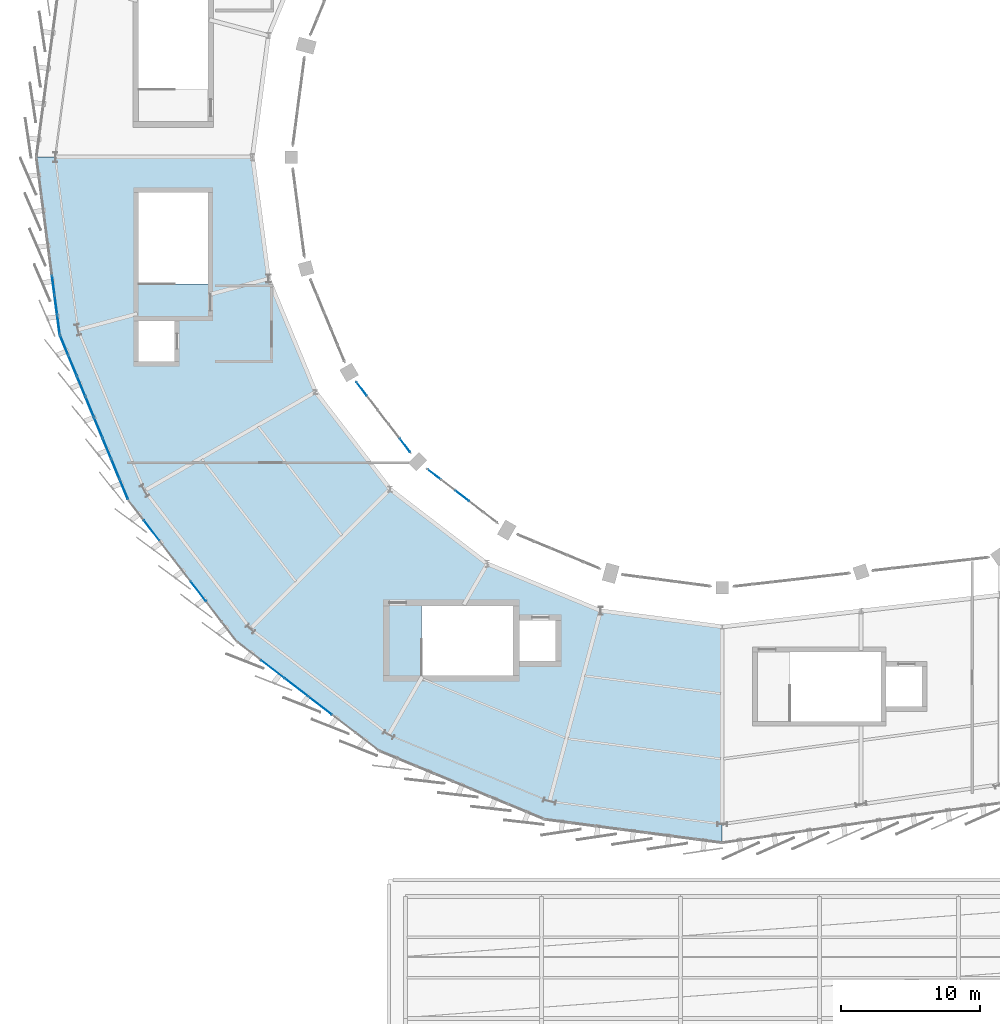
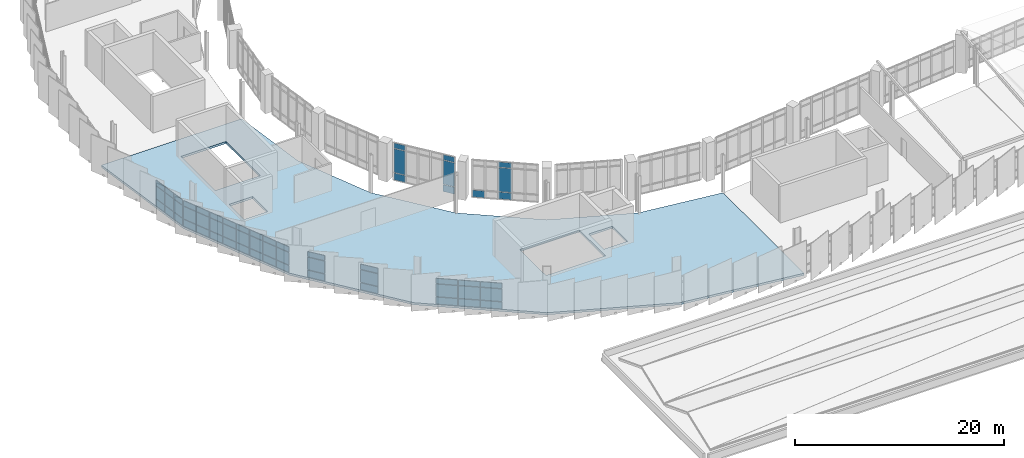
# One storey, part 47 of 67: 58 plates, 1 slab, 6 elements without a shape of their own.
"""IFC4 building model written with IfcOpenShell, lengths in metres."""

from ifc_helpers import new_model, si_unit, direction, frame, origin, origin_2d, place, context, subcontext, project, spatial, polyline, rectangle, outline, extrude, material, layer, layer_set, type_object, element, aggregate, save


model = new_model("IFC4")

# Units and contexts
model_context = context("Model", 3, precision=1e-05, world=origin(), true_north=direction((0.0, 1.0)))
body_context = subcontext(model_context, "Body", "Model", "MODEL_VIEW")
ifc_project = project(units=[si_unit("LENGTHUNIT", "METRE"), si_unit("AREAUNIT", "SQUARE_METRE"), si_unit("VOLUMEUNIT", "CUBIC_METRE"), si_unit("PLANEANGLEUNIT", "RADIAN"), si_unit("MASSUNIT", "GRAM", prefix="KILO")], contexts=[model_context])

# Site, building, storey
site_placement = place(None, origin())
site = spatial("IfcSite", under=ifc_project, at=site_placement, CompositionType="ELEMENT")
building_placement = place(site_placement, origin())
building = spatial("IfcBuilding", under=site, at=building_placement, Name="Sohan Crest Arena", CompositionType="ELEMENT")
storey_placement = place(building_placement, frame((0.0, 0.0, 22.5)))
storey = spatial("IfcBuildingStorey", under=building, at=storey_placement, Name="L05", CompositionType="ELEMENT", Elevation=22.5)

# Curtain wall, plates
ifc_material_1 = material(Name="Thermally broken anodised aluminium", Category="aluminium")
ifc_layer_1 = layer(ifc_material_1, 0.219970703125, Name="Thermally broken anodised aluminium")
ifc_layer_set_1 = layer_set([ifc_layer_1], Name="Thermally broken anodised aluminium")
curtain_wall_type_1 = type_object("IfcCurtainWallType", Name="ARC-CW03", PredefinedType="NOTDEFINED", material=ifc_layer_set_1)
curtain_wall_1_placement = place(storey_placement, origin())
curtain_wall_1 = element("IfcCurtainWall", 1, at=curtain_wall_1_placement, inside=storey, type_object=curtain_wall_type_1, Name="Unitised curtain wall CW-154", PredefinedType="NOTDEFINED")
ifc_material_2 = material(Name="Low-E double-glazed insulated glass", Category="glass")
ifc_layer_2 = layer(ifc_material_2, 0.028076171875, Name="Low-E double-glazed insulated glass")
ifc_layer_set_2 = layer_set([ifc_layer_2], Name="Low-E double-glazed insulated glass")
plate_type_1 = type_object("IfcPlateType", Name="ARC-CNP01", PredefinedType="CURTAIN_PANEL", material=ifc_layer_set_2)
plate_1_placement = place(storey_placement, frame((56.9423828125, 51.134765625, 0.070068359375), z_axis=(0.0, 0.0, 1.0), x_axis=(0.60871994181, -0.793385172815, 0.0)))
plate_1 = element("IfcPlate", 2, at=plate_1_placement, type_object=plate_type_1, Name="CW-154 panel 2.1", PredefinedType="CURTAIN_PANEL", context=body_context, shape_type="SweptSolid", body=[
    extrude(rectangle(XDim=1.780517578125, YDim=0.028076171875, at=origin_2d()), origin(), (0.0, 0.0, 1.0), 0.794921875),
])
plate_2_placement = place(storey_placement, frame((56.9423828125, 51.134765625, 0.93505859375), z_axis=(0.0, 0.0, 1.0), x_axis=(0.60871994181, -0.793385172815, 0.0)))
plate_2 = element("IfcPlate", 3, at=plate_2_placement, type_object=plate_type_1, Name="CW-154 panel 2.2", PredefinedType="CURTAIN_PANEL", context=body_context, shape_type="SweptSolid", body=[
    extrude(rectangle(XDim=1.780517578125, YDim=0.028076171875, at=origin_2d()), origin(), (0.0, 0.0, 1.0), 1.449951171875),
])
plate_3_placement = place(storey_placement, frame((56.9423828125, 51.134765625, 2.455078125), z_axis=(0.0, 0.0, 1.0), x_axis=(0.60871994181, -0.793385172815, 0.0)))
plate_3 = element("IfcPlate", 4, at=plate_3_placement, type_object=plate_type_1, Name="CW-154 panel 2.3", PredefinedType="CURTAIN_PANEL", context=body_context, shape_type="SweptSolid", body=[
    extrude(rectangle(XDim=1.780517578125, YDim=0.028076171875, at=origin_2d()), origin(), (0.0, 0.0, 1.0), 0.594970703125),
])
plate_4_placement = place(storey_placement, frame((60.30322265625, 46.75439453125, 0.070068359375), z_axis=(0.0, 0.0, 1.0), x_axis=(0.60871994181, -0.793385172815, 0.0)))
plate_4 = element("IfcPlate", 5, at=plate_4_placement, type_object=plate_type_1, Name="CW-154 panel 5.1", PredefinedType="CURTAIN_PANEL", context=body_context, shape_type="SweptSolid", body=[
    extrude(rectangle(XDim=1.780517578125, YDim=0.028076171875, at=origin_2d()), origin(), (0.0, 0.0, 1.0), 0.794921875),
])
plate_5_placement = place(storey_placement, frame((60.30322265625, 46.75439453125, 0.93505859375), z_axis=(0.0, 0.0, 1.0), x_axis=(0.60871994181, -0.793385172815, 0.0)))
plate_5 = element("IfcPlate", 6, at=plate_5_placement, type_object=plate_type_1, Name="CW-154 panel 5.2", PredefinedType="CURTAIN_PANEL", context=body_context, shape_type="SweptSolid", body=[
    extrude(rectangle(XDim=1.780517578125, YDim=0.028076171875, at=origin_2d()), origin(), (0.0, 0.0, 1.0), 1.449951171875),
])
plate_6_placement = place(storey_placement, frame((60.30322265625, 46.75439453125, 2.455078125), z_axis=(0.0, 0.0, 1.0), x_axis=(0.60871994181, -0.793385172815, 0.0)))
plate_6 = element("IfcPlate", 7, at=plate_6_placement, type_object=plate_type_1, Name="CW-154 panel 5.3", PredefinedType="CURTAIN_PANEL", context=body_context, shape_type="SweptSolid", body=[
    extrude(rectangle(XDim=1.780517578125, YDim=0.028076171875, at=origin_2d()), origin(), (0.0, 0.0, 1.0), 0.594970703125),
])
aggregate(curtain_wall_1, [plate_1, plate_2, plate_3, plate_4, plate_5, plate_6])

ifc_layer_3 = layer(ifc_material_1, 0.239990234375, Name="Thermally broken anodised aluminium")
ifc_layer_set_3 = layer_set([ifc_layer_3], Name="Thermally broken anodised aluminium")
curtain_wall_type_2 = type_object("IfcCurtainWallType", Name="ARC-CW04", PredefinedType="NOTDEFINED", material=ifc_layer_set_3)
curtain_wall_2_placement = place(storey_placement, origin())
curtain_wall_2 = element("IfcCurtainWall", 8, at=curtain_wall_2_placement, inside=storey, type_object=curtain_wall_type_2, Name="Unitised curtain wall CW-155", PredefinedType="NOTDEFINED")
ifc_layer_4 = layer(ifc_material_2, 0.031982421875, Name="Low-E double-glazed insulated glass")
ifc_layer_set_4 = layer_set([ifc_layer_4], Name="Low-E double-glazed insulated glass")
plate_type_2 = type_object("IfcPlateType", Name="ARC-CNP02", PredefinedType="CURTAIN_PANEL", material=ifc_layer_set_4)
plate_7_placement = place(storey_placement, frame((65.6591796875, 41.1435546875, 0.06005859375), z_axis=(0.0, 0.0, 1.0), x_axis=(0.793385172815, -0.60871994181, 0.0)))
plate_7 = element("IfcPlate", 9, at=plate_7_placement, type_object=plate_type_2, Name="CW-155 panel 2.1", PredefinedType="CURTAIN_PANEL", context=body_context, shape_type="SweptSolid", body=[
    extrude(rectangle(XDim=2.08203125, YDim=0.031982421875, at=origin_2d()), origin(), (0.0, 0.0, 1.0), 0.81005859375),
])
plate_8_placement = place(storey_placement, frame((65.6591796875, 41.1435546875, 0.929931640625), z_axis=(0.0, 0.0, 1.0), x_axis=(0.793385172815, -0.60871994181, 0.0)))
plate_8 = element("IfcPlate", 10, at=plate_8_placement, type_object=plate_type_2, Name="CW-155 panel 2.2", PredefinedType="CURTAIN_PANEL", context=body_context, shape_type="SweptSolid", body=[
    extrude(rectangle(XDim=2.08203125, YDim=0.031982421875, at=origin_2d()), origin(), (0.0, 0.0, 1.0), 1.4599609375),
])
plate_9_placement = place(storey_placement, frame((65.6591796875, 41.1435546875, 2.44970703125), z_axis=(0.0, 0.0, 1.0), x_axis=(0.793385172815, -0.60871994181, 0.0)))
plate_9 = element("IfcPlate", 11, at=plate_9_placement, type_object=plate_type_2, Name="CW-155 panel 2.3", PredefinedType="CURTAIN_PANEL", context=body_context, shape_type="SweptSolid", body=[
    extrude(rectangle(XDim=2.08203125, YDim=0.031982421875, at=origin_2d()), origin(), (0.0, 0.0, 1.0), 0.610107421875),
])
plate_10_placement = place(storey_placement, frame((67.36279296875, 39.83642578125, 0.06005859375), z_axis=(0.0, 0.0, 1.0), x_axis=(0.793385172815, -0.60871994181, 0.0)))
plate_10 = element("IfcPlate", 12, at=plate_10_placement, type_object=plate_type_2, Name="CW-155 panel 3.1", PredefinedType="CURTAIN_PANEL", context=body_context, shape_type="SweptSolid", body=[
    extrude(rectangle(XDim=2.08203125, YDim=0.031982421875, at=origin_2d()), origin(), (0.0, 0.0, 1.0), 0.81005859375),
])
plate_11_placement = place(storey_placement, frame((67.36279296875, 39.83642578125, 0.929931640625), z_axis=(0.0, 0.0, 1.0), x_axis=(0.793385172815, -0.60871994181, 0.0)))
plate_11 = element("IfcPlate", 13, at=plate_11_placement, type_object=plate_type_2, Name="CW-155 panel 3.2", PredefinedType="CURTAIN_PANEL", context=body_context, shape_type="SweptSolid", body=[
    extrude(rectangle(XDim=2.08203125, YDim=0.031982421875, at=origin_2d()), origin(), (0.0, 0.0, 1.0), 1.4599609375),
])
plate_12_placement = place(storey_placement, frame((67.36279296875, 39.83642578125, 2.44970703125), z_axis=(0.0, 0.0, 1.0), x_axis=(0.793385172815, -0.60871994181, 0.0)))
plate_12 = element("IfcPlate", 14, at=plate_12_placement, type_object=plate_type_2, Name="CW-155 panel 3.3", PredefinedType="CURTAIN_PANEL", context=body_context, shape_type="SweptSolid", body=[
    extrude(rectangle(XDim=2.08203125, YDim=0.031982421875, at=origin_2d()), origin(), (0.0, 0.0, 1.0), 0.610107421875),
])
plate_13_placement = place(storey_placement, frame((69.066162109375, 38.529541015625, 0.06005859375), z_axis=(0.0, 0.0, 1.0), x_axis=(0.793385172815, -0.60871994181, 0.0)))
plate_13 = element("IfcPlate", 15, at=plate_13_placement, type_object=plate_type_2, Name="CW-155 panel 4.1", PredefinedType="CURTAIN_PANEL", context=body_context, shape_type="SweptSolid", body=[
    extrude(rectangle(XDim=2.08203125, YDim=0.031982421875, at=origin_2d()), origin(), (0.0, 0.0, 1.0), 0.81005859375),
])
plate_14_placement = place(storey_placement, frame((69.066162109375, 38.529541015625, 0.929931640625), z_axis=(0.0, 0.0, 1.0), x_axis=(0.793385172815, -0.60871994181, 0.0)))
plate_14 = element("IfcPlate", 16, at=plate_14_placement, type_object=plate_type_2, Name="CW-155 panel 4.2", PredefinedType="CURTAIN_PANEL", context=body_context, shape_type="SweptSolid", body=[
    extrude(rectangle(XDim=2.08203125, YDim=0.031982421875, at=origin_2d()), origin(), (0.0, 0.0, 1.0), 1.4599609375),
])
plate_15_placement = place(storey_placement, frame((69.066162109375, 38.529541015625, 2.44970703125), z_axis=(0.0, 0.0, 1.0), x_axis=(0.793385172815, -0.60871994181, 0.0)))
plate_15 = element("IfcPlate", 17, at=plate_15_placement, type_object=plate_type_2, Name="CW-155 panel 4.3", PredefinedType="CURTAIN_PANEL", context=body_context, shape_type="SweptSolid", body=[
    extrude(rectangle(XDim=2.08203125, YDim=0.031982421875, at=origin_2d()), origin(), (0.0, 0.0, 1.0), 0.610107421875),
])
aggregate(curtain_wall_2, [plate_7, plate_8, plate_9, plate_10, plate_11, plate_12, plate_13, plate_14, plate_15])

ifc_layer_5 = layer(ifc_material_1, 0.179931640625, Name="Thermally broken anodised aluminium")
ifc_layer_set_5 = layer_set([ifc_layer_5], Name="Thermally broken anodised aluminium")
curtain_wall_type_3 = type_object("IfcCurtainWallType", Name="ARC-CW01", PredefinedType="NOTDEFINED", material=ifc_layer_set_5)
curtain_wall_3_placement = place(storey_placement, origin())
curtain_wall_3 = element("IfcCurtainWall", 18, at=curtain_wall_3_placement, inside=storey, type_object=curtain_wall_type_3, Name="Unitised curtain wall CW-152", PredefinedType="NOTDEFINED")
ifc_material_3 = material(Name="Ceramic-fritted solar-control insulated glass", Category="glass")
ifc_layer_6 = layer(ifc_material_3, 0.035888671875, Name="Ceramic-fritted solar-control insulated glass")
ifc_layer_set_6 = layer_set([ifc_layer_6], Name="Ceramic-fritted solar-control insulated glass")
plate_type_3 = type_object("IfcPlateType", Name="ARC-CNP03", PredefinedType="CURTAIN_PANEL", material=ifc_layer_set_6)
plate_16_placement = place(storey_placement, frame((49.86474609375, 68.775146484375, 0.06005859375), z_axis=(0.0, 0.0, 1.0), x_axis=(0.130556913275, -0.991440816386, 0.0)))
plate_16 = element("IfcPlate", 19, at=plate_16_placement, type_object=plate_type_3, Name="CW-152 panel 7.1", PredefinedType="CURTAIN_PANEL", context=body_context, shape_type="SweptSolid", body=[
    extrude(rectangle(XDim=1.361572265625, YDim=0.035888671875, at=origin_2d()), origin(), (0.0, 0.0, 1.0), 0.81005859375),
])
plate_17_placement = place(storey_placement, frame((49.86474609375, 68.775146484375, 0.929931640625), z_axis=(0.0, 0.0, 1.0), x_axis=(0.130556913275, -0.991440816386, 0.0)))
plate_17 = element("IfcPlate", 20, at=plate_17_placement, type_object=plate_type_3, Name="CW-152 panel 7.2", PredefinedType="CURTAIN_PANEL", context=body_context, shape_type="SweptSolid", body=[
    extrude(rectangle(XDim=1.361572265625, YDim=0.035888671875, at=origin_2d()), origin(), (0.0, 0.0, 1.0), 1.4599609375),
])
plate_18_placement = place(storey_placement, frame((49.86474609375, 68.775146484375, 2.44970703125), z_axis=(0.0, 0.0, 1.0), x_axis=(0.130556913275, -0.991440816386, 0.0)))
plate_18 = element("IfcPlate", 21, at=plate_18_placement, type_object=plate_type_3, Name="CW-152 panel 7.3", PredefinedType="CURTAIN_PANEL", context=body_context, shape_type="SweptSolid", body=[
    extrude(rectangle(XDim=1.361572265625, YDim=0.035888671875, at=origin_2d()), origin(), (0.0, 0.0, 1.0), 0.610107421875),
])
plate_19_placement = place(storey_placement, frame((50.0517578125, 67.355712890625, 0.06005859375), z_axis=(0.0, 0.0, 1.0), x_axis=(0.130556913275, -0.991440816386, 0.0)))
plate_19 = element("IfcPlate", 22, at=plate_19_placement, type_object=plate_type_3, Name="CW-152 panel 8.1", PredefinedType="CURTAIN_PANEL", context=body_context, shape_type="SweptSolid", body=[
    extrude(rectangle(XDim=1.361572265625, YDim=0.035888671875, at=origin_2d()), origin(), (0.0, 0.0, 1.0), 0.81005859375),
])
plate_20_placement = place(storey_placement, frame((50.0517578125, 67.355712890625, 0.929931640625), z_axis=(0.0, 0.0, 1.0), x_axis=(0.130556913275, -0.991440816386, 0.0)))
plate_20 = element("IfcPlate", 23, at=plate_20_placement, type_object=plate_type_3, Name="CW-152 panel 8.2", PredefinedType="CURTAIN_PANEL", context=body_context, shape_type="SweptSolid", body=[
    extrude(rectangle(XDim=1.361572265625, YDim=0.035888671875, at=origin_2d()), origin(), (0.0, 0.0, 1.0), 1.4599609375),
])
plate_21_placement = place(storey_placement, frame((50.0517578125, 67.355712890625, 2.44970703125), z_axis=(0.0, 0.0, 1.0), x_axis=(0.130556913275, -0.991440816386, 0.0)))
plate_21 = element("IfcPlate", 24, at=plate_21_placement, type_object=plate_type_3, Name="CW-152 panel 8.3", PredefinedType="CURTAIN_PANEL", context=body_context, shape_type="SweptSolid", body=[
    extrude(rectangle(XDim=1.361572265625, YDim=0.035888671875, at=origin_2d()), origin(), (0.0, 0.0, 1.0), 0.610107421875),
])
plate_22_placement = place(storey_placement, frame((50.236328125, 65.953857421875, 0.06005859375), z_axis=(0.0, 0.0, 1.0), x_axis=(0.130556913275, -0.991440816386, 0.0)))
plate_22 = element("IfcPlate", 25, at=plate_22_placement, type_object=plate_type_3, Name="CW-152 panel 9.1", PredefinedType="CURTAIN_PANEL", context=body_context, shape_type="SweptSolid", body=[
    extrude(rectangle(XDim=1.326416015625, YDim=0.035888671875, at=origin_2d()), origin(), (0.0, 0.0, 1.0), 0.81005859375),
])
plate_23_placement = place(storey_placement, frame((50.236328125, 65.953857421875, 0.929931640625), z_axis=(0.0, 0.0, 1.0), x_axis=(0.130556913275, -0.991440816386, 0.0)))
plate_23 = element("IfcPlate", 26, at=plate_23_placement, type_object=plate_type_3, Name="CW-152 panel 9.2", PredefinedType="CURTAIN_PANEL", context=body_context, shape_type="SweptSolid", body=[
    extrude(rectangle(XDim=1.326416015625, YDim=0.035888671875, at=origin_2d()), origin(), (0.0, 0.0, 1.0), 1.4599609375),
])
plate_24_placement = place(storey_placement, frame((50.236328125, 65.953857421875, 2.44970703125), z_axis=(0.0, 0.0, 1.0), x_axis=(0.130556913275, -0.991440816386, 0.0)))
plate_24 = element("IfcPlate", 27, at=plate_24_placement, type_object=plate_type_3, Name="CW-152 panel 9.3", PredefinedType="CURTAIN_PANEL", context=body_context, shape_type="SweptSolid", body=[
    extrude(rectangle(XDim=1.326416015625, YDim=0.035888671875, at=origin_2d()), origin(), (0.0, 0.0, 1.0), 0.610107421875),
])
aggregate(curtain_wall_3, [plate_16, plate_17, plate_18, plate_19, plate_20, plate_21, plate_22, plate_23, plate_24])

ifc_layer_7 = layer(ifc_material_1, 0.18994140625, Name="Thermally broken anodised aluminium")
ifc_layer_set_7 = layer_set([ifc_layer_7], Name="Thermally broken anodised aluminium")
curtain_wall_type_4 = type_object("IfcCurtainWallType", Name="ARC-CW05", PredefinedType="NOTDEFINED", material=ifc_layer_set_7)
curtain_wall_4_placement = place(storey_placement, origin())
curtain_wall_4 = element("IfcCurtainWall", 28, at=curtain_wall_4_placement, inside=storey, type_object=curtain_wall_type_4, Name="Unitised curtain wall CW-180", PredefinedType="NOTDEFINED")
plate_25_placement = place(storey_placement, frame((72.0556640625, 61.3232421875, 0.06494140625), z_axis=(0.0, 0.0, 1.0), x_axis=(0.608939000248, -0.793217053508, 0.0)))
plate_25 = element("IfcPlate", 29, at=plate_25_placement, type_object=plate_type_3, Name="CW-180 panel 1.1", PredefinedType="CURTAIN_PANEL", context=body_context, shape_type="SweptSolid", body=[
    extrude(rectangle(XDim=1.185546875, YDim=0.035888671875, at=origin_2d()), origin(), (0.0, 0.0, 1.0), 0.802490234375),
])
plate_26_placement = place(storey_placement, frame((72.0556640625, 61.3232421875, 0.9326171875), z_axis=(0.0, 0.0, 1.0), x_axis=(0.608939000248, -0.793217053508, 0.0)))
plate_26 = element("IfcPlate", 30, at=plate_26_placement, type_object=plate_type_3, Name="CW-180 panel 1.2", PredefinedType="CURTAIN_PANEL", context=body_context, shape_type="SweptSolid", body=[
    extrude(rectangle(XDim=1.185546875, YDim=0.035888671875, at=origin_2d()), origin(), (0.0, 0.0, 1.0), 2.784912109375),
])
plate_27_placement = place(storey_placement, frame((72.0556640625, 61.3232421875, 3.782470703125), z_axis=(0.0, 0.0, 1.0), x_axis=(0.608939000248, -0.793217053508, 0.0)))
plate_27 = element("IfcPlate", 31, at=plate_27_placement, type_object=plate_type_3, Name="CW-180 panel 1.3", PredefinedType="CURTAIN_PANEL", context=body_context, shape_type="SweptSolid", body=[
    extrude(rectangle(XDim=1.185546875, YDim=0.035888671875, at=origin_2d()), origin(), (0.0, 0.0, 1.0), 0.6025390625),
])
plate_28_placement = place(storey_placement, frame((75.177490234375, 57.256591796875, 0.06494140625), z_axis=(0.0, 0.0, 1.0), x_axis=(0.608939000248, -0.793217053508, 0.0)))
plate_28 = element("IfcPlate", 32, at=plate_28_placement, type_object=plate_type_3, Name="CW-180 panel 5.1", PredefinedType="CURTAIN_PANEL", context=body_context, shape_type="SweptSolid", body=[
    extrude(rectangle(XDim=1.185546875, YDim=0.035888671875, at=origin_2d()), origin(), (0.0, 0.0, 1.0), 0.802490234375),
])
plate_29_placement = place(storey_placement, frame((75.177490234375, 57.256591796875, 0.9326171875), z_axis=(0.0, 0.0, 1.0), x_axis=(0.608939000248, -0.793217053508, 0.0)))
plate_29 = element("IfcPlate", 33, at=plate_29_placement, type_object=plate_type_3, Name="CW-180 panel 5.2", PredefinedType="CURTAIN_PANEL", context=body_context, shape_type="SweptSolid", body=[
    extrude(rectangle(XDim=1.185546875, YDim=0.035888671875, at=origin_2d()), origin(), (0.0, 0.0, 1.0), 2.784912109375),
])
plate_30_placement = place(storey_placement, frame((75.177490234375, 57.256591796875, 3.782470703125), z_axis=(0.0, 0.0, 1.0), x_axis=(0.608939000248, -0.793217053508, 0.0)))
plate_30 = element("IfcPlate", 34, at=plate_30_placement, type_object=plate_type_3, Name="CW-180 panel 5.3", PredefinedType="CURTAIN_PANEL", context=body_context, shape_type="SweptSolid", body=[
    extrude(rectangle(XDim=1.185546875, YDim=0.035888671875, at=origin_2d()), origin(), (0.0, 0.0, 1.0), 0.6025390625),
])
aggregate(curtain_wall_4, [plate_25, plate_26, plate_27, plate_28, plate_29, plate_30])

curtain_wall_5_placement = place(storey_placement, origin())
curtain_wall_5 = element("IfcCurtainWall", 35, at=curtain_wall_5_placement, inside=storey, type_object=curtain_wall_type_4, Name="Unitised curtain wall CW-182", PredefinedType="NOTDEFINED")
plate_31_placement = place(storey_placement, frame((77.256591796875, 55.177490234375, 0.06494140625), z_axis=(0.0, 0.0, 1.0), x_axis=(0.793217053508, -0.608939000248, 0.0)))
plate_31 = element("IfcPlate", 36, at=plate_31_placement, type_object=plate_type_3, Name="CW-182 panel 1.1", PredefinedType="CURTAIN_PANEL", context=body_context, shape_type="SweptSolid", body=[
    extrude(rectangle(XDim=1.185546875, YDim=0.035888671875, at=origin_2d()), origin(), (0.0, 0.0, 1.0), 0.802490234375),
])
plate_32_placement = place(storey_placement, frame((79.2900390625, 53.616455078125, 0.06494140625), z_axis=(0.0, 0.0, 1.0), x_axis=(0.793217053508, -0.608939000248, 0.0)))
plate_32 = element("IfcPlate", 37, at=plate_32_placement, type_object=plate_type_3, Name="CW-182 panel 3.1", PredefinedType="CURTAIN_PANEL", context=body_context, shape_type="SweptSolid", body=[
    extrude(rectangle(XDim=1.220458984375, YDim=0.035888671875, at=origin_2d()), origin(), (0.0, 0.0, 1.0), 0.802490234375),
])
plate_33_placement = place(storey_placement, frame((79.2900390625, 53.616455078125, 0.9326171875), z_axis=(0.0, 0.0, 1.0), x_axis=(0.793217053508, -0.608939000248, 0.0)))
plate_33 = element("IfcPlate", 38, at=plate_33_placement, type_object=plate_type_3, Name="CW-182 panel 3.2", PredefinedType="CURTAIN_PANEL", context=body_context, shape_type="SweptSolid", body=[
    extrude(rectangle(XDim=1.220458984375, YDim=0.035888671875, at=origin_2d()), origin(), (0.0, 0.0, 1.0), 2.784912109375),
])
plate_34_placement = place(storey_placement, frame((79.2900390625, 53.616455078125, 3.782470703125), z_axis=(0.0, 0.0, 1.0), x_axis=(0.793217053508, -0.608939000248, 0.0)))
plate_34 = element("IfcPlate", 39, at=plate_34_placement, type_object=plate_type_3, Name="CW-182 panel 3.3", PredefinedType="CURTAIN_PANEL", context=body_context, shape_type="SweptSolid", body=[
    extrude(rectangle(XDim=1.220458984375, YDim=0.035888671875, at=origin_2d()), origin(), (0.0, 0.0, 1.0), 0.6025390625),
])
aggregate(curtain_wall_5, [plate_31, plate_32, plate_33, plate_34])

ifc_layer_8 = layer(ifc_material_1, 0.199951171875, Name="Thermally broken anodised aluminium")
ifc_layer_set_8 = layer_set([ifc_layer_8], Name="Thermally broken anodised aluminium")
curtain_wall_type_5 = type_object("IfcCurtainWallType", Name="ARC-CW02", PredefinedType="NOTDEFINED", material=ifc_layer_set_8)
curtain_wall_6_placement = place(storey_placement, origin())
curtain_wall_6 = element("IfcCurtainWall", 40, at=curtain_wall_6_placement, inside=storey, type_object=curtain_wall_type_5, Name="Unitised curtain wall CW-153", PredefinedType="NOTDEFINED")
ifc_material_4 = material(Name="Insulated polychrome ceramic spandrel panel", Category="masonry")
ifc_layer_9 = layer(ifc_material_4, 0.0419921875, Name="Insulated polychrome ceramic spandrel panel")
ifc_layer_set_9 = layer_set([ifc_layer_9], Name="Insulated polychrome ceramic spandrel panel")
plate_type_4 = type_object("IfcPlateType", Name="ARC-CNP04", PredefinedType="CURTAIN_PANEL", material=ifc_layer_set_9)
plate_35_placement = place(storey_placement, frame((50.647216796875, 64.4658203125, 0.06494140625), z_axis=(0.0, 0.0, 1.0), x_axis=(0.382685432009, -0.923878704229, 0.0)))
plate_35 = element("IfcPlate", 41, at=plate_35_placement, type_object=plate_type_4, Name="CW-153 panel 1.1", PredefinedType="CURTAIN_PANEL", context=body_context, shape_type="SweptSolid", body=[
    extrude(rectangle(XDim=1.497802734375, YDim=0.0419921875, at=origin_2d()), origin(), (0.0, 0.0, 1.0), 0.802490234375),
])
plate_36_placement = place(storey_placement, frame((50.647216796875, 64.4658203125, 0.932373046875), z_axis=(0.0, 0.0, 1.0), x_axis=(0.382685432009, -0.923878704229, 0.0)))
plate_36 = element("IfcPlate", 42, at=plate_36_placement, type_object=plate_type_4, Name="CW-153 panel 1.2", PredefinedType="CURTAIN_PANEL", context=body_context, shape_type="SweptSolid", body=[
    extrude(rectangle(XDim=1.497802734375, YDim=0.0419921875, at=origin_2d()), origin(), (0.0, 0.0, 1.0), 1.455078125),
])
plate_37_placement = place(storey_placement, frame((50.647216796875, 64.4658203125, 2.452392578125), z_axis=(0.0, 0.0, 1.0), x_axis=(0.382685432009, -0.923878704229, 0.0)))
plate_37 = element("IfcPlate", 43, at=plate_37_placement, type_object=plate_type_4, Name="CW-153 panel 1.3", PredefinedType="CURTAIN_PANEL", context=body_context, shape_type="SweptSolid", body=[
    extrude(rectangle(XDim=1.497802734375, YDim=0.0419921875, at=origin_2d()), origin(), (0.0, 0.0, 1.0), 0.6025390625),
])
plate_38_placement = place(storey_placement, frame((51.25634765625, 62.995361328125, 0.06494140625), z_axis=(0.0, 0.0, 1.0), x_axis=(0.382685432009, -0.923878704229, 0.0)))
plate_38 = element("IfcPlate", 44, at=plate_38_placement, type_object=plate_type_4, Name="CW-153 panel 2.1", PredefinedType="CURTAIN_PANEL", context=body_context, shape_type="SweptSolid", body=[
    extrude(rectangle(XDim=1.535400390625, YDim=0.0419921875, at=origin_2d()), origin(), (0.0, 0.0, 1.0), 0.802490234375),
])
plate_39_placement = place(storey_placement, frame((51.25634765625, 62.995361328125, 0.932373046875), z_axis=(0.0, 0.0, 1.0), x_axis=(0.382685432009, -0.923878704229, 0.0)))
plate_39 = element("IfcPlate", 45, at=plate_39_placement, type_object=plate_type_4, Name="CW-153 panel 2.2", PredefinedType="CURTAIN_PANEL", context=body_context, shape_type="SweptSolid", body=[
    extrude(rectangle(XDim=1.535400390625, YDim=0.0419921875, at=origin_2d()), origin(), (0.0, 0.0, 1.0), 1.455078125),
])
plate_40_placement = place(storey_placement, frame((51.25634765625, 62.995361328125, 2.452392578125), z_axis=(0.0, 0.0, 1.0), x_axis=(0.382685432009, -0.923878704229, 0.0)))
plate_40 = element("IfcPlate", 46, at=plate_40_placement, type_object=plate_type_4, Name="CW-153 panel 2.3", PredefinedType="CURTAIN_PANEL", context=body_context, shape_type="SweptSolid", body=[
    extrude(rectangle(XDim=1.535400390625, YDim=0.0419921875, at=origin_2d()), origin(), (0.0, 0.0, 1.0), 0.6025390625),
])
plate_41_placement = place(storey_placement, frame((51.87255859375, 61.507568359375, 0.06494140625), z_axis=(0.0, 0.0, 1.0), x_axis=(0.382685432009, -0.923878704229, 0.0)))
plate_41 = element("IfcPlate", 47, at=plate_41_placement, type_object=plate_type_4, Name="CW-153 panel 3.1", PredefinedType="CURTAIN_PANEL", context=body_context, shape_type="SweptSolid", body=[
    extrude(rectangle(XDim=1.535400390625, YDim=0.0419921875, at=origin_2d()), origin(), (0.0, 0.0, 1.0), 0.802490234375),
])
plate_42_placement = place(storey_placement, frame((51.87255859375, 61.507568359375, 0.932373046875), z_axis=(0.0, 0.0, 1.0), x_axis=(0.382685432009, -0.923878704229, 0.0)))
plate_42 = element("IfcPlate", 48, at=plate_42_placement, type_object=plate_type_4, Name="CW-153 panel 3.2", PredefinedType="CURTAIN_PANEL", context=body_context, shape_type="SweptSolid", body=[
    extrude(rectangle(XDim=1.535400390625, YDim=0.0419921875, at=origin_2d()), origin(), (0.0, 0.0, 1.0), 1.455078125),
])
plate_43_placement = place(storey_placement, frame((51.87255859375, 61.507568359375, 2.452392578125), z_axis=(0.0, 0.0, 1.0), x_axis=(0.382685432009, -0.923878704229, 0.0)))
plate_43 = element("IfcPlate", 49, at=plate_43_placement, type_object=plate_type_4, Name="CW-153 panel 3.3", PredefinedType="CURTAIN_PANEL", context=body_context, shape_type="SweptSolid", body=[
    extrude(rectangle(XDim=1.535400390625, YDim=0.0419921875, at=origin_2d()), origin(), (0.0, 0.0, 1.0), 0.6025390625),
])
plate_44_placement = place(storey_placement, frame((52.48876953125, 60.019775390625, 0.06494140625), z_axis=(0.0, 0.0, 1.0), x_axis=(0.382685432009, -0.923878704229, 0.0)))
plate_44 = element("IfcPlate", 50, at=plate_44_placement, type_object=plate_type_4, Name="CW-153 panel 4.1", PredefinedType="CURTAIN_PANEL", context=body_context, shape_type="SweptSolid", body=[
    extrude(rectangle(XDim=1.535400390625, YDim=0.0419921875, at=origin_2d()), origin(), (0.0, 0.0, 1.0), 0.802490234375),
])
plate_45_placement = place(storey_placement, frame((52.48876953125, 60.019775390625, 0.932373046875), z_axis=(0.0, 0.0, 1.0), x_axis=(0.382685432009, -0.923878704229, 0.0)))
plate_45 = element("IfcPlate", 51, at=plate_45_placement, type_object=plate_type_4, Name="CW-153 panel 4.2", PredefinedType="CURTAIN_PANEL", context=body_context, shape_type="SweptSolid", body=[
    extrude(rectangle(XDim=1.535400390625, YDim=0.0419921875, at=origin_2d()), origin(), (0.0, 0.0, 1.0), 1.455078125),
])
plate_46_placement = place(storey_placement, frame((52.48876953125, 60.019775390625, 2.452392578125), z_axis=(0.0, 0.0, 1.0), x_axis=(0.382685432009, -0.923878704229, 0.0)))
plate_46 = element("IfcPlate", 52, at=plate_46_placement, type_object=plate_type_4, Name="CW-153 panel 4.3", PredefinedType="CURTAIN_PANEL", context=body_context, shape_type="SweptSolid", body=[
    extrude(rectangle(XDim=1.535400390625, YDim=0.0419921875, at=origin_2d()), origin(), (0.0, 0.0, 1.0), 0.6025390625),
])
plate_47_placement = place(storey_placement, frame((53.105224609375, 58.5322265625, 0.06494140625), z_axis=(0.0, 0.0, 1.0), x_axis=(0.382685432009, -0.923878704229, 0.0)))
plate_47 = element("IfcPlate", 53, at=plate_47_placement, type_object=plate_type_4, Name="CW-153 panel 5.1", PredefinedType="CURTAIN_PANEL", context=body_context, shape_type="SweptSolid", body=[
    extrude(rectangle(XDim=1.535400390625, YDim=0.0419921875, at=origin_2d()), origin(), (0.0, 0.0, 1.0), 0.802490234375),
])
plate_48_placement = place(storey_placement, frame((53.105224609375, 58.5322265625, 0.932373046875), z_axis=(0.0, 0.0, 1.0), x_axis=(0.382685432009, -0.923878704229, 0.0)))
plate_48 = element("IfcPlate", 54, at=plate_48_placement, type_object=plate_type_4, Name="CW-153 panel 5.2", PredefinedType="CURTAIN_PANEL", context=body_context, shape_type="SweptSolid", body=[
    extrude(rectangle(XDim=1.535400390625, YDim=0.0419921875, at=origin_2d()), origin(), (0.0, 0.0, 1.0), 1.455078125),
])
plate_49_placement = place(storey_placement, frame((53.105224609375, 58.5322265625, 2.452392578125), z_axis=(0.0, 0.0, 1.0), x_axis=(0.382685432009, -0.923878704229, 0.0)))
plate_49 = element("IfcPlate", 55, at=plate_49_placement, type_object=plate_type_4, Name="CW-153 panel 5.3", PredefinedType="CURTAIN_PANEL", context=body_context, shape_type="SweptSolid", body=[
    extrude(rectangle(XDim=1.535400390625, YDim=0.0419921875, at=origin_2d()), origin(), (0.0, 0.0, 1.0), 0.6025390625),
])
plate_50_placement = place(storey_placement, frame((53.721435546875, 57.04443359375, 0.06494140625), z_axis=(0.0, 0.0, 1.0), x_axis=(0.382685432009, -0.923878704229, 0.0)))
plate_50 = element("IfcPlate", 56, at=plate_50_placement, type_object=plate_type_4, Name="CW-153 panel 6.1", PredefinedType="CURTAIN_PANEL", context=body_context, shape_type="SweptSolid", body=[
    extrude(rectangle(XDim=1.535400390625, YDim=0.0419921875, at=origin_2d()), origin(), (0.0, 0.0, 1.0), 0.802490234375),
])
plate_51_placement = place(storey_placement, frame((53.721435546875, 57.04443359375, 0.932373046875), z_axis=(0.0, 0.0, 1.0), x_axis=(0.382685432009, -0.923878704229, 0.0)))
plate_51 = element("IfcPlate", 57, at=plate_51_placement, type_object=plate_type_4, Name="CW-153 panel 6.2", PredefinedType="CURTAIN_PANEL", context=body_context, shape_type="SweptSolid", body=[
    extrude(rectangle(XDim=1.535400390625, YDim=0.0419921875, at=origin_2d()), origin(), (0.0, 0.0, 1.0), 1.455078125),
])
plate_52_placement = place(storey_placement, frame((53.721435546875, 57.04443359375, 2.452392578125), z_axis=(0.0, 0.0, 1.0), x_axis=(0.382685432009, -0.923878704229, 0.0)))
plate_52 = element("IfcPlate", 58, at=plate_52_placement, type_object=plate_type_4, Name="CW-153 panel 6.3", PredefinedType="CURTAIN_PANEL", context=body_context, shape_type="SweptSolid", body=[
    extrude(rectangle(XDim=1.535400390625, YDim=0.0419921875, at=origin_2d()), origin(), (0.0, 0.0, 1.0), 0.6025390625),
])
plate_53_placement = place(storey_placement, frame((54.337646484375, 55.556640625, 0.06494140625), z_axis=(0.0, 0.0, 1.0), x_axis=(0.382685432009, -0.923878704229, 0.0)))
plate_53 = element("IfcPlate", 59, at=plate_53_placement, type_object=plate_type_4, Name="CW-153 panel 7.1", PredefinedType="CURTAIN_PANEL", context=body_context, shape_type="SweptSolid", body=[
    extrude(rectangle(XDim=1.535400390625, YDim=0.0419921875, at=origin_2d()), origin(), (0.0, 0.0, 1.0), 0.802490234375),
])
plate_54_placement = place(storey_placement, frame((54.337646484375, 55.556640625, 0.932373046875), z_axis=(0.0, 0.0, 1.0), x_axis=(0.382685432009, -0.923878704229, 0.0)))
plate_54 = element("IfcPlate", 60, at=plate_54_placement, type_object=plate_type_4, Name="CW-153 panel 7.2", PredefinedType="CURTAIN_PANEL", context=body_context, shape_type="SweptSolid", body=[
    extrude(rectangle(XDim=1.535400390625, YDim=0.0419921875, at=origin_2d()), origin(), (0.0, 0.0, 1.0), 1.455078125),
])
plate_55_placement = place(storey_placement, frame((54.337646484375, 55.556640625, 2.452392578125), z_axis=(0.0, 0.0, 1.0), x_axis=(0.382685432009, -0.923878704229, 0.0)))
plate_55 = element("IfcPlate", 61, at=plate_55_placement, type_object=plate_type_4, Name="CW-153 panel 7.3", PredefinedType="CURTAIN_PANEL", context=body_context, shape_type="SweptSolid", body=[
    extrude(rectangle(XDim=1.535400390625, YDim=0.0419921875, at=origin_2d()), origin(), (0.0, 0.0, 1.0), 0.6025390625),
])
plate_56_placement = place(storey_placement, frame((54.94677734375, 54.086181640625, 0.06494140625), z_axis=(0.0, 0.0, 1.0), x_axis=(0.382685432009, -0.923878704229, 0.0)))
plate_56 = element("IfcPlate", 62, at=plate_56_placement, type_object=plate_type_4, Name="CW-153 panel 8.1", PredefinedType="CURTAIN_PANEL", context=body_context, shape_type="SweptSolid", body=[
    extrude(rectangle(XDim=1.497802734375, YDim=0.0419921875, at=origin_2d()), origin(), (0.0, 0.0, 1.0), 0.802490234375),
])
plate_57_placement = place(storey_placement, frame((54.94677734375, 54.086181640625, 0.932373046875), z_axis=(0.0, 0.0, 1.0), x_axis=(0.382685432009, -0.923878704229, 0.0)))
plate_57 = element("IfcPlate", 63, at=plate_57_placement, type_object=plate_type_4, Name="CW-153 panel 8.2", PredefinedType="CURTAIN_PANEL", context=body_context, shape_type="SweptSolid", body=[
    extrude(rectangle(XDim=1.497802734375, YDim=0.0419921875, at=origin_2d()), origin(), (0.0, 0.0, 1.0), 1.455078125),
])
plate_58_placement = place(storey_placement, frame((54.94677734375, 54.086181640625, 2.452392578125), z_axis=(0.0, 0.0, 1.0), x_axis=(0.382685432009, -0.923878704229, 0.0)))
plate_58 = element("IfcPlate", 64, at=plate_58_placement, type_object=plate_type_4, Name="CW-153 panel 8.3", PredefinedType="CURTAIN_PANEL", context=body_context, shape_type="SweptSolid", body=[
    extrude(rectangle(XDim=1.497802734375, YDim=0.0419921875, at=origin_2d()), origin(), (0.0, 0.0, 1.0), 0.6025390625),
])
aggregate(curtain_wall_6, [plate_35, plate_36, plate_37, plate_38, plate_39, plate_40, plate_41, plate_42, plate_43, plate_44, plate_45, plate_46, plate_47, plate_48, plate_49, plate_50, plate_51, plate_52, plate_53, plate_54, plate_55, plate_56, plate_57, plate_58])

# Slab
ifc_material_5 = material(Name="Concrete C40/50", Category="concrete")
ifc_layer_10 = layer(ifc_material_5, 0.25, Name="Concrete C40/50")
ifc_layer_set_10 = layer_set([ifc_layer_10], Name="Concrete C40/50")
slab_type = type_object("IfcSlabType", Name="SL-FLR3", PredefinedType="FLOOR", material=ifc_layer_set_10)
slab_placement = place(storey_placement, frame((0.0, 0.0, -0.25)))
element("IfcSlab", 65, at=slab_placement, inside=storey, type_object=slab_type, Name="Concourse ring L05 sector 2 SL-L05-V2S2", PredefinedType="FLOOR", context=body_context, shape_type="SweptSolid", body=[
    extrude(outline(polyline([(65.35205078125, 69.251953125), (68.72802734375, 61.10009765625), (74.10009765625, 54.10009765625), (81.10009765625, 48.72802734375), (89.251953125, 45.35205078125), (98.0, 44.199951171875), (98.0, 28.64990234375), (85.22705078125, 30.33203125), (73.324951171875, 35.261962890625), (63.10400390625, 43.10400390625), (55.261962890625, 53.324951171875), (50.33203125, 65.22705078125), (48.64990234375, 78.0), (64.199951171875, 78.0), (65.35205078125, 69.251953125)]), holes=[polyline([(61.0, 75.449951171875), (56.0, 75.449951171875), (56.0, 68.8701171875), (61.0, 68.8701171875), (61.0, 75.449951171875)]), polyline([(58.60009765625, 63.300048828125), (58.60009765625, 66.199951171875), (56.0, 66.199951171875), (56.0, 63.300048828125), (58.60009765625, 63.300048828125)]), polyline([(82.949951171875, 45.699951171875), (76.3701171875, 45.699951171875), (76.3701171875, 40.699951171875), (82.949951171875, 40.699951171875), (82.949951171875, 45.699951171875)]), polyline([(86.0, 41.75), (86.0, 44.64990234375), (83.39990234375, 44.64990234375), (83.39990234375, 41.75), (86.0, 41.75)])]), origin(), (0.0, 0.0, 1.0), 0.25),
])

save(model, "model.ifc")
